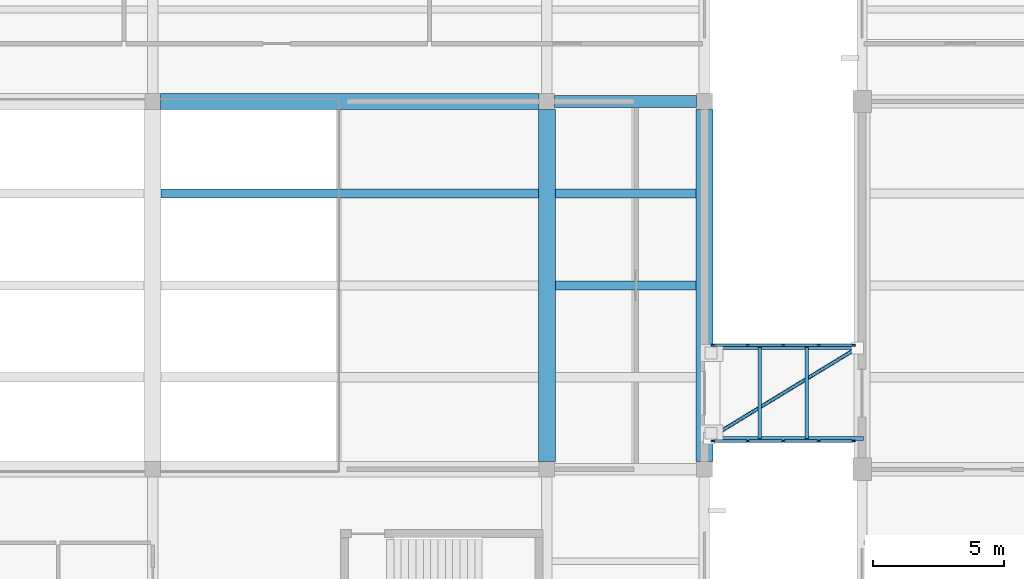
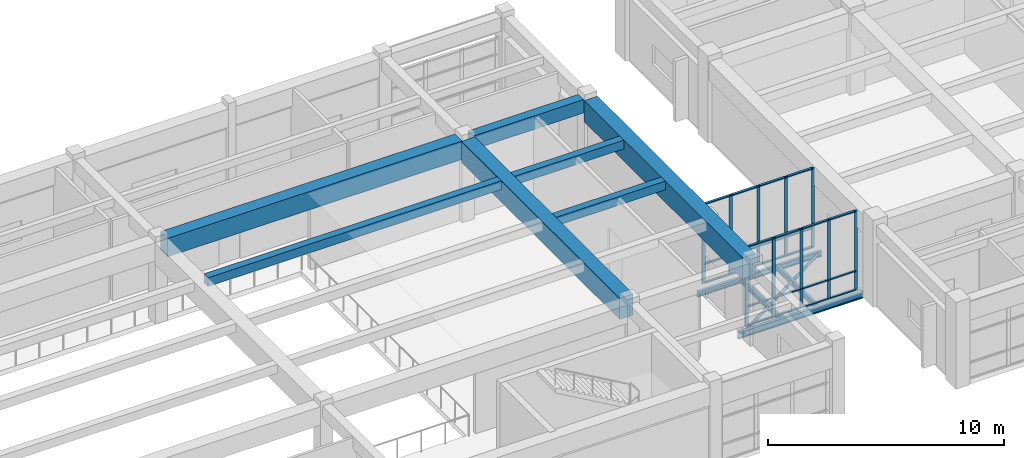
# One storey, part 16 of 72: 35 members, 11 beams, 2 elements without a shape of their own.
"""IFC4 building model written with IfcOpenShell, lengths in metres."""

from ifc_helpers import new_model, si_unit, direction, frame, origin, origin_2d, place, context, subcontext, project, spatial, rectangle, hollow_circle, i_section, extrude, material, layer, layer_set, material_profile, profile_set, type_object, element, aggregate, save


model = new_model("IFC4")

# Units and contexts
model_context = context("Model", 3, precision=1e-05, world=origin(), true_north=direction((0.0, 1.0)))
body_context = subcontext(model_context, "Body", "Model", "MODEL_VIEW")
ifc_project = project(units=[si_unit("LENGTHUNIT", "METRE"), si_unit("AREAUNIT", "SQUARE_METRE"), si_unit("VOLUMEUNIT", "CUBIC_METRE"), si_unit("PLANEANGLEUNIT", "RADIAN"), si_unit("MASSUNIT", "GRAM", prefix="KILO")], contexts=[model_context])

# Site, building, storey
site_placement = place(None, origin())
site = spatial("IfcSite", under=ifc_project, at=site_placement, CompositionType="ELEMENT")
building_placement = place(site_placement, origin())
building = spatial("IfcBuilding", under=site, at=building_placement, Name="Naurynzar Civic Courthouse", CompositionType="ELEMENT")
storey_placement = place(building_placement, frame((0.0, 0.0, 9.89990234375)))
storey = spatial("IfcBuildingStorey", under=building, at=storey_placement, Name="L03", CompositionType="ELEMENT", Elevation=9.89990234375)

# Beams
ifc_material_1 = material(Name="Concrete C40/50", Category="concrete")
ifc_material_profile_1 = material_profile(ifc_material_1, rectangle(XDim=0.60009765625, YDim=0.949951171875, at=origin_2d()), Name="PTB 600x950")
ifc_profile_set_1 = profile_set([ifc_material_profile_1], Name="Concrete C40/50")
beam_type_1 = type_object("IfcBeamType", Name="BM-PT-600x950", PredefinedType="T_BEAM", material=ifc_profile_set_1)
beam_1_placement = place(storey_placement, frame((35.300048828125, 65.0, 3.755126953125), z_axis=(1.0, 0.0, 0.0), x_axis=(0.0, 1.0, 0.0)))
element("IfcBeam", 1, at=beam_1_placement, inside=storey, type_object=beam_type_1, Name="V1 beam X-178 L03", PredefinedType="T_BEAM", context=body_context, shape_type="SweptSolid", body=[
    extrude(rectangle(XDim=0.60009765625, YDim=0.949951171875, at=origin_2d()), origin(), (0.0, 0.0, 1.0), 14.39990234375),
])
ifc_material_2 = material(Name="Concrete C40/50", Category="concrete")
ifc_material_profile_2 = material_profile(ifc_material_2, rectangle(XDim=0.64990234375, YDim=1.10009765625, at=origin_2d()), Name="PTB 650x1100")
ifc_profile_set_2 = profile_set([ifc_material_profile_2], Name="Concrete C40/50")
beam_type_2 = type_object("IfcBeamType", Name="BM-PT-650x1100", PredefinedType="T_BEAM", material=ifc_profile_set_2)
for number, where, z_axis, x_axis, name in (
    (2, (50.0, 51.300048828125, 3.68017578125), (0.0, 1.0, 0.0), (-1.0, 0.0, 0.0), "V1 girder Y-198 L03"),
    (3, (56.0, 51.300048828125, 3.68017578125), (0.0, 1.0, 0.0), (-1.0, 0.0, 0.0), "V1 girder Y-201 L03"),
):
    element("IfcBeam", number, at=place(storey_placement, frame(where, z_axis=z_axis, x_axis=x_axis)), inside=storey, type_object=beam_type_2, Name=name, PredefinedType="T_BEAM", context=body_context, shape_type="SweptSolid", body=[
        extrude(rectangle(XDim=0.64990234375, YDim=1.10009765625, at=origin_2d()), origin(), (0.0, 0.0, 1.0), 13.39990234375),
    ])
ifc_material_3 = material(Name="Concrete C40/50", Category="concrete")
ifc_material_profile_3 = material_profile(ifc_material_3, rectangle(XDim=0.35009765625, YDim=0.449951171875, at=origin_2d()), Name="RCB 350x450")
ifc_profile_set_3 = profile_set([ifc_material_profile_3], Name="Concrete C40/50")
beam_type_3 = type_object("IfcBeamType", Name="BM-RC-350x450", PredefinedType="BEAM", material=ifc_profile_set_3)
beam_2_placement = place(storey_placement, frame((35.324951171875, 61.5, 4.005126953125), z_axis=(1.0, 0.0, 0.0), x_axis=(0.0, 1.0, 0.0)))
element("IfcBeam", 4, at=beam_2_placement, inside=storey, type_object=beam_type_3, Name="V1 secondary rib 215 L03", PredefinedType="BEAM", context=body_context, shape_type="SweptSolid", body=[
    extrude(rectangle(XDim=0.35009765625, YDim=0.449951171875, at=origin_2d()), origin(), (0.0, 0.0, 1.0), 14.35009765625),
])
for number, where, z_axis, x_axis, name in (
    (5, (50.324951171875, 58.0, 4.005126953125), (1.0, 0.0, 0.0), (0.0, 1.0, 0.0), "V1 secondary rib 217 L03"),
    (6, (50.324951171875, 61.5, 4.005126953125), (1.0, 0.0, 0.0), (0.0, 1.0, 0.0), "V1 secondary rib 218 L03"),
):
    element("IfcBeam", number, at=place(storey_placement, frame(where, z_axis=z_axis, x_axis=x_axis)), inside=storey, type_object=beam_type_3, Name=name, PredefinedType="BEAM", context=body_context, shape_type="SweptSolid", body=[
        extrude(rectangle(XDim=0.35009765625, YDim=0.449951171875, at=origin_2d()), origin(), (0.0, 0.0, 1.0), 5.35009765625),
    ])
ifc_material_4 = material(Name="Concrete C40/50", Category="concrete")
ifc_material_profile_4 = material_profile(ifc_material_4, rectangle(XDim=0.449951171875, YDim=0.699951171875, at=origin_2d()), Name="RCB 450x700")
ifc_profile_set_4 = profile_set([ifc_material_profile_4], Name="Concrete C40/50")
beam_type_4 = type_object("IfcBeamType", Name="BM-RC-450x700", PredefinedType="BEAM", material=ifc_profile_set_4)
beam_3_placement = place(storey_placement, frame((50.300048828125, 65.0, 3.880126953125), z_axis=(1.0, 0.0, 0.0), x_axis=(0.0, 1.0, 0.0)))
element("IfcBeam", 7, at=beam_3_placement, inside=storey, type_object=beam_type_4, Name="V1 beam X-179 L03", PredefinedType="BEAM", context=body_context, shape_type="SweptSolid", body=[
    extrude(rectangle(XDim=0.449951171875, YDim=0.699951171875, at=origin_2d()), origin(), (0.0, 0.0, 1.0), 5.39990234375),
])
ifc_material_5 = material(Name="Steel S355", Category="steel")
ifc_material_profile_5 = material_profile(ifc_material_5, i_section(OverallWidth=0.135009765625, OverallDepth=0.27001953125, WebThickness=0.006591796875, FlangeThickness=0.01025390625, FilletRadius=0.014892578125, at=origin_2d()), Name="IPE 270")
ifc_profile_set_5 = profile_set([ifc_material_profile_5], Name="Steel S355")
beam_type_5 = type_object("IfcBeamType", Name="BM-STL-IPE270", PredefinedType="BEAM", material=ifc_profile_set_5)
beam_4_placement = place(storey_placement, frame((55.949951171875, 55.6298828125, -0.375), z_axis=(1.0, 0.0, 0.0), x_axis=(0.0, 1.0, 0.0)))
element("IfcBeam", 8, at=beam_4_placement, inside=storey, type_object=beam_type_5, Name="BR-N1 edge steel beam L03.2", PredefinedType="BEAM", context=body_context, shape_type="SweptSolid", body=[
    extrude(i_section(OverallWidth=0.135009765625, OverallDepth=0.27001953125, WebThickness=0.006591796875, FlangeThickness=0.01025390625, FilletRadius=0.014892578125, at=origin_2d()), origin(), (0.0, 0.0, 1.0), 6.10009765625),
])
for number, where, z_axis, x_axis, name in (
    (9, (58.10595703125, 52.169921875, -0.375), (0.0, 1.0, 0.0), (-1.0, 0.0, 0.0), "BR-N1 deck cross-beam L03.1"),
    (10, (59.89404296875, 52.169921875, -0.375), (0.0, 1.0, 0.0), (-1.0, 0.0, 0.0), "BR-N1 deck cross-beam L03.2"),
):
    element("IfcBeam", number, at=place(storey_placement, frame(where, z_axis=z_axis, x_axis=x_axis)), inside=storey, type_object=beam_type_5, Name=name, PredefinedType="BEAM", context=body_context, shape_type="SweptSolid", body=[
        extrude(i_section(OverallWidth=0.135009765625, OverallDepth=0.27001953125, WebThickness=0.006591796875, FlangeThickness=0.01025390625, FilletRadius=0.014892578125, at=origin_2d()), origin(), (0.0, 0.0, 1.0), 3.4599609375),
    ])
ifc_material_6 = material(Name="Steel S355", Category="steel")
ifc_material_profile_6 = material_profile(ifc_material_6, i_section(OverallWidth=0.159912109375, OverallDepth=0.330078125, WebThickness=0.007568359375, FlangeThickness=0.011474609375, FilletRadius=0.01806640625, at=origin_2d()), Name="IPE 330")
ifc_profile_set_6 = profile_set([ifc_material_profile_6], Name="Steel S355")
beam_type_6 = type_object("IfcBeamType", Name="BM-STL-IPE330", PredefinedType="BEAM", material=ifc_profile_set_6)
beam_5_placement = place(storey_placement, frame((55.949951171875, 52.169921875, -0.40478515625), z_axis=(1.0, 0.0, 0.0), x_axis=(0.0, 1.0, 0.0)))
element("IfcBeam", 11, at=beam_5_placement, inside=storey, type_object=beam_type_6, Name="BR-N1 edge steel beam L03.1", PredefinedType="BEAM", context=body_context, shape_type="SweptSolid", body=[
    extrude(i_section(OverallWidth=0.159912109375, OverallDepth=0.330078125, WebThickness=0.007568359375, FlangeThickness=0.011474609375, FilletRadius=0.01806640625, at=origin_2d()), origin(), (0.0, 0.0, 1.0), 6.10009765625),
])

# Curtain wall, members
ifc_material_7 = material(Name="Aluminium 6063-T6", Category="aluminium")
ifc_layer = layer(ifc_material_7, 0.14990234375)
ifc_layer_set = layer_set([ifc_layer], Name="CW-BRIDGE-1500")
curtain_wall_type = type_object("IfcCurtainWallType", Name="CW-BRIDGE-1500", PredefinedType="USERDEFINED", material=ifc_layer_set)
curtain_wall_1_placement = place(storey_placement, origin())
curtain_wall_1 = element("IfcCurtainWall", 12, at=curtain_wall_1_placement, inside=storey, type_object=curtain_wall_type, Name="BR-N1 glazed bridge screen L03.1", ObjectType="GLAZED BRIDGE SCREEN", PredefinedType="USERDEFINED")
ifc_material_8 = material(Name="Aluminium 6063-T6", Category="aluminium")
ifc_material_profile_7 = material_profile(ifc_material_8, rectangle(XDim=0.06005859375, YDim=0.14990234375, at=origin_2d()), Name="ALU MULLION 60x150")
ifc_profile_set_7 = profile_set([ifc_material_profile_7], Name="Aluminium 6063-T6")
member_type_1 = type_object("IfcMemberType", Name="CWM-60x150", PredefinedType="MULLION", material=ifc_profile_set_7)
member_1_placement = place(storey_placement, frame((56.330078125, 52.080078125, 0.0), z_axis=(0.0, 0.0, 1.0), x_axis=(0.0, 1.0, 0.0)))
member_1 = element("IfcMember", 13, at=member_1_placement, type_object=member_type_1, Name="CW-03 mullion 1", PredefinedType="MULLION", context=body_context, shape_type="SweptSolid", body=[
    extrude(rectangle(XDim=0.06005859375, YDim=0.14990234375, at=origin_2d()), origin(), (0.0, 0.0, 1.0), 4.1201171875),
])
member_2_placement = place(storey_placement, frame((57.64990234375, 52.080078125, 0.0), z_axis=(0.0, 0.0, 1.0), x_axis=(0.0, 1.0, 0.0)))
member_2 = element("IfcMember", 14, at=member_2_placement, type_object=member_type_1, Name="CW-03 mullion 2", PredefinedType="MULLION", context=body_context, shape_type="SweptSolid", body=[
    extrude(rectangle(XDim=0.06005859375, YDim=0.14990234375, at=origin_2d()), origin(), (0.0, 0.0, 1.0), 4.1201171875),
])
member_3_placement = place(storey_placement, frame((59.0, 52.080078125, 0.0), z_axis=(0.0, 0.0, 1.0), x_axis=(0.0, 1.0, 0.0)))
member_3 = element("IfcMember", 15, at=member_3_placement, type_object=member_type_1, Name="CW-03 mullion 3", PredefinedType="MULLION", context=body_context, shape_type="SweptSolid", body=[
    extrude(rectangle(XDim=0.06005859375, YDim=0.14990234375, at=origin_2d()), origin(), (0.0, 0.0, 1.0), 4.1201171875),
])
member_4_placement = place(storey_placement, frame((60.35009765625, 52.080078125, 0.0), z_axis=(0.0, 0.0, 1.0), x_axis=(0.0, 1.0, 0.0)))
member_4 = element("IfcMember", 16, at=member_4_placement, type_object=member_type_1, Name="CW-03 mullion 4", PredefinedType="MULLION", context=body_context, shape_type="SweptSolid", body=[
    extrude(rectangle(XDim=0.06005859375, YDim=0.14990234375, at=origin_2d()), origin(), (0.0, 0.0, 1.0), 4.1201171875),
])
member_5_placement = place(storey_placement, frame((61.669921875, 52.080078125, 0.0), z_axis=(0.0, 0.0, 1.0), x_axis=(0.0, 1.0, 0.0)))
member_5 = element("IfcMember", 17, at=member_5_placement, type_object=member_type_1, Name="CW-03 mullion 5", PredefinedType="MULLION", context=body_context, shape_type="SweptSolid", body=[
    extrude(rectangle(XDim=0.06005859375, YDim=0.14990234375, at=origin_2d()), origin(), (0.0, 0.0, 1.0), 4.1201171875),
])

curtain_wall_2_placement = place(storey_placement, origin())
curtain_wall_2 = element("IfcCurtainWall", 18, at=curtain_wall_2_placement, inside=storey, type_object=curtain_wall_type, Name="BR-N1 glazed bridge screen L03.2", ObjectType="GLAZED BRIDGE SCREEN", PredefinedType="USERDEFINED")
member_6_placement = place(storey_placement, frame((61.669921875, 55.719970703125, 0.0), z_axis=(0.0, 0.0, 1.0), x_axis=(0.0, -1.0, 0.0)))
member_6 = element("IfcMember", 19, at=member_6_placement, type_object=member_type_1, Name="CW-03 mullion 1", PredefinedType="MULLION", context=body_context, shape_type="SweptSolid", body=[
    extrude(rectangle(XDim=0.06005859375, YDim=0.14990234375, at=origin_2d()), origin(), (0.0, 0.0, 1.0), 4.1201171875),
])
member_7_placement = place(storey_placement, frame((60.35009765625, 55.719970703125, 0.0), z_axis=(0.0, 0.0, 1.0), x_axis=(0.0, -1.0, 0.0)))
member_7 = element("IfcMember", 20, at=member_7_placement, type_object=member_type_1, Name="CW-03 mullion 2", PredefinedType="MULLION", context=body_context, shape_type="SweptSolid", body=[
    extrude(rectangle(XDim=0.06005859375, YDim=0.14990234375, at=origin_2d()), origin(), (0.0, 0.0, 1.0), 4.1201171875),
])
member_8_placement = place(storey_placement, frame((59.0, 55.719970703125, 0.0), z_axis=(0.0, 0.0, 1.0), x_axis=(0.0, -1.0, 0.0)))
member_8 = element("IfcMember", 21, at=member_8_placement, type_object=member_type_1, Name="CW-03 mullion 3", PredefinedType="MULLION", context=body_context, shape_type="SweptSolid", body=[
    extrude(rectangle(XDim=0.06005859375, YDim=0.14990234375, at=origin_2d()), origin(), (0.0, 0.0, 1.0), 4.1201171875),
])
member_9_placement = place(storey_placement, frame((57.64990234375, 55.719970703125, 0.0), z_axis=(0.0, 0.0, 1.0), x_axis=(0.0, -1.0, 0.0)))
member_9 = element("IfcMember", 22, at=member_9_placement, type_object=member_type_1, Name="CW-03 mullion 4", PredefinedType="MULLION", context=body_context, shape_type="SweptSolid", body=[
    extrude(rectangle(XDim=0.06005859375, YDim=0.14990234375, at=origin_2d()), origin(), (0.0, 0.0, 1.0), 4.1201171875),
])
member_10_placement = place(storey_placement, frame((56.330078125, 55.719970703125, 0.0), z_axis=(0.0, 0.0, 1.0), x_axis=(0.0, -1.0, 0.0)))
member_10 = element("IfcMember", 23, at=member_10_placement, type_object=member_type_1, Name="CW-03 mullion 5", PredefinedType="MULLION", context=body_context, shape_type="SweptSolid", body=[
    extrude(rectangle(XDim=0.06005859375, YDim=0.14990234375, at=origin_2d()), origin(), (0.0, 0.0, 1.0), 4.1201171875),
])

# Member
ifc_material_9 = material(Name="Aluminium 6063-T6", Category="aluminium")
ifc_material_profile_8 = material_profile(ifc_material_9, rectangle(XDim=0.110107421875, YDim=0.06005859375, at=origin_2d()), Name="ALU TRANSOM 60x110")
ifc_profile_set_8 = profile_set([ifc_material_profile_8], Name="Aluminium 6063-T6")
member_type_2 = type_object("IfcMemberType", Name="CWT-60x110", PredefinedType="USERDEFINED", material=ifc_profile_set_8)
member_11_placement = place(storey_placement, frame((56.360107421875, 52.080078125, 0.030029296875), z_axis=(1.0, 0.0, 0.0), x_axis=(0.0, 1.0, 0.0)))
member_11 = element("IfcMember", 24, at=member_11_placement, type_object=member_type_2, Name="CW-03 transom 1.1", ObjectType="TRANSOM", PredefinedType="USERDEFINED", context=body_context, shape_type="SweptSolid", body=[
    extrude(rectangle(XDim=0.110107421875, YDim=0.06005859375, at=origin_2d()), origin(), (0.0, 0.0, 1.0), 1.260009765625),
])

member_12_placement = place(storey_placement, frame((56.360107421875, 52.080078125, 1.0), z_axis=(1.0, 0.0, 0.0), x_axis=(0.0, 1.0, 0.0)))
member_12 = element("IfcMember", 25, at=member_12_placement, type_object=member_type_2, Name="CW-03 transom 1.2", ObjectType="TRANSOM", PredefinedType="USERDEFINED", context=body_context, shape_type="SweptSolid", body=[
    extrude(rectangle(XDim=0.110107421875, YDim=0.06005859375, at=origin_2d()), origin(), (0.0, 0.0, 1.0), 1.260009765625),
])

member_13_placement = place(storey_placement, frame((56.360107421875, 52.080078125, 4.090087890625), z_axis=(1.0, 0.0, 0.0), x_axis=(0.0, 1.0, 0.0)))
member_13 = element("IfcMember", 26, at=member_13_placement, type_object=member_type_2, Name="CW-03 transom 1.3", ObjectType="TRANSOM", PredefinedType="USERDEFINED", context=body_context, shape_type="SweptSolid", body=[
    extrude(rectangle(XDim=0.110107421875, YDim=0.06005859375, at=origin_2d()), origin(), (0.0, 0.0, 1.0), 1.260009765625),
])

member_14_placement = place(storey_placement, frame((57.679931640625, 52.080078125, 0.030029296875), z_axis=(1.0, 0.0, 0.0), x_axis=(0.0, 1.0, 0.0)))
member_14 = element("IfcMember", 27, at=member_14_placement, type_object=member_type_2, Name="CW-03 transom 2.1", ObjectType="TRANSOM", PredefinedType="USERDEFINED", context=body_context, shape_type="SweptSolid", body=[
    extrude(rectangle(XDim=0.110107421875, YDim=0.06005859375, at=origin_2d()), origin(), (0.0, 0.0, 1.0), 1.2900390625),
])

member_15_placement = place(storey_placement, frame((57.679931640625, 52.080078125, 1.0), z_axis=(1.0, 0.0, 0.0), x_axis=(0.0, 1.0, 0.0)))
member_15 = element("IfcMember", 28, at=member_15_placement, type_object=member_type_2, Name="CW-03 transom 2.2", ObjectType="TRANSOM", PredefinedType="USERDEFINED", context=body_context, shape_type="SweptSolid", body=[
    extrude(rectangle(XDim=0.110107421875, YDim=0.06005859375, at=origin_2d()), origin(), (0.0, 0.0, 1.0), 1.2900390625),
])

member_16_placement = place(storey_placement, frame((57.679931640625, 52.080078125, 4.090087890625), z_axis=(1.0, 0.0, 0.0), x_axis=(0.0, 1.0, 0.0)))
member_16 = element("IfcMember", 29, at=member_16_placement, type_object=member_type_2, Name="CW-03 transom 2.3", ObjectType="TRANSOM", PredefinedType="USERDEFINED", context=body_context, shape_type="SweptSolid", body=[
    extrude(rectangle(XDim=0.110107421875, YDim=0.06005859375, at=origin_2d()), origin(), (0.0, 0.0, 1.0), 1.2900390625),
])

member_17_placement = place(storey_placement, frame((59.030029296875, 52.080078125, 0.030029296875), z_axis=(1.0, 0.0, 0.0), x_axis=(0.0, 1.0, 0.0)))
member_17 = element("IfcMember", 30, at=member_17_placement, type_object=member_type_2, Name="CW-03 transom 3.1", ObjectType="TRANSOM", PredefinedType="USERDEFINED", context=body_context, shape_type="SweptSolid", body=[
    extrude(rectangle(XDim=0.110107421875, YDim=0.06005859375, at=origin_2d()), origin(), (0.0, 0.0, 1.0), 1.2900390625),
])

member_18_placement = place(storey_placement, frame((59.030029296875, 52.080078125, 1.0), z_axis=(1.0, 0.0, 0.0), x_axis=(0.0, 1.0, 0.0)))
member_18 = element("IfcMember", 31, at=member_18_placement, type_object=member_type_2, Name="CW-03 transom 3.2", ObjectType="TRANSOM", PredefinedType="USERDEFINED", context=body_context, shape_type="SweptSolid", body=[
    extrude(rectangle(XDim=0.110107421875, YDim=0.06005859375, at=origin_2d()), origin(), (0.0, 0.0, 1.0), 1.2900390625),
])

member_19_placement = place(storey_placement, frame((59.030029296875, 52.080078125, 4.090087890625), z_axis=(1.0, 0.0, 0.0), x_axis=(0.0, 1.0, 0.0)))
member_19 = element("IfcMember", 32, at=member_19_placement, type_object=member_type_2, Name="CW-03 transom 3.3", ObjectType="TRANSOM", PredefinedType="USERDEFINED", context=body_context, shape_type="SweptSolid", body=[
    extrude(rectangle(XDim=0.110107421875, YDim=0.06005859375, at=origin_2d()), origin(), (0.0, 0.0, 1.0), 1.2900390625),
])

member_20_placement = place(storey_placement, frame((60.3798828125, 52.080078125, 0.030029296875), z_axis=(1.0, 0.0, 0.0), x_axis=(0.0, 1.0, 0.0)))
member_20 = element("IfcMember", 33, at=member_20_placement, type_object=member_type_2, Name="CW-03 transom 4.1", ObjectType="TRANSOM", PredefinedType="USERDEFINED", context=body_context, shape_type="SweptSolid", body=[
    extrude(rectangle(XDim=0.110107421875, YDim=0.06005859375, at=origin_2d()), origin(), (0.0, 0.0, 1.0), 1.260009765625),
])

member_21_placement = place(storey_placement, frame((60.3798828125, 52.080078125, 1.0), z_axis=(1.0, 0.0, 0.0), x_axis=(0.0, 1.0, 0.0)))
member_21 = element("IfcMember", 34, at=member_21_placement, type_object=member_type_2, Name="CW-03 transom 4.2", ObjectType="TRANSOM", PredefinedType="USERDEFINED", context=body_context, shape_type="SweptSolid", body=[
    extrude(rectangle(XDim=0.110107421875, YDim=0.06005859375, at=origin_2d()), origin(), (0.0, 0.0, 1.0), 1.260009765625),
])

member_22_placement = place(storey_placement, frame((60.3798828125, 52.080078125, 4.090087890625), z_axis=(1.0, 0.0, 0.0), x_axis=(0.0, 1.0, 0.0)))
member_22 = element("IfcMember", 35, at=member_22_placement, type_object=member_type_2, Name="CW-03 transom 4.3", ObjectType="TRANSOM", PredefinedType="USERDEFINED", context=body_context, shape_type="SweptSolid", body=[
    extrude(rectangle(XDim=0.110107421875, YDim=0.06005859375, at=origin_2d()), origin(), (0.0, 0.0, 1.0), 1.260009765625),
])

aggregate(curtain_wall_1, [member_1, member_2, member_3, member_4, member_5, member_11, member_12, member_13, member_14, member_15, member_16, member_17, member_18, member_19, member_20, member_21, member_22])

member_23_placement = place(storey_placement, frame((61.639892578125, 55.719970703125, 0.030029296875), z_axis=(-1.0, 0.0, 0.0), x_axis=(0.0, -1.0, 0.0)))
member_23 = element("IfcMember", 36, at=member_23_placement, type_object=member_type_2, Name="CW-03 transom 1.1", ObjectType="TRANSOM", PredefinedType="USERDEFINED", context=body_context, shape_type="SweptSolid", body=[
    extrude(rectangle(XDim=0.110107421875, YDim=0.06005859375, at=origin_2d()), origin(), (0.0, 0.0, 1.0), 1.260009765625),
])

member_24_placement = place(storey_placement, frame((61.639892578125, 55.719970703125, 1.0), z_axis=(-1.0, 0.0, 0.0), x_axis=(0.0, -1.0, 0.0)))
member_24 = element("IfcMember", 37, at=member_24_placement, type_object=member_type_2, Name="CW-03 transom 1.2", ObjectType="TRANSOM", PredefinedType="USERDEFINED", context=body_context, shape_type="SweptSolid", body=[
    extrude(rectangle(XDim=0.110107421875, YDim=0.06005859375, at=origin_2d()), origin(), (0.0, 0.0, 1.0), 1.260009765625),
])

member_25_placement = place(storey_placement, frame((61.639892578125, 55.719970703125, 4.090087890625), z_axis=(-1.0, 0.0, 0.0), x_axis=(0.0, -1.0, 0.0)))
member_25 = element("IfcMember", 38, at=member_25_placement, type_object=member_type_2, Name="CW-03 transom 1.3", ObjectType="TRANSOM", PredefinedType="USERDEFINED", context=body_context, shape_type="SweptSolid", body=[
    extrude(rectangle(XDim=0.110107421875, YDim=0.06005859375, at=origin_2d()), origin(), (0.0, 0.0, 1.0), 1.260009765625),
])

member_26_placement = place(storey_placement, frame((60.320068359375, 55.719970703125, 0.030029296875), z_axis=(-1.0, 0.0, 0.0), x_axis=(0.0, -1.0, 0.0)))
member_26 = element("IfcMember", 39, at=member_26_placement, type_object=member_type_2, Name="CW-03 transom 2.1", ObjectType="TRANSOM", PredefinedType="USERDEFINED", context=body_context, shape_type="SweptSolid", body=[
    extrude(rectangle(XDim=0.110107421875, YDim=0.06005859375, at=origin_2d()), origin(), (0.0, 0.0, 1.0), 1.2900390625),
])

member_27_placement = place(storey_placement, frame((60.320068359375, 55.719970703125, 1.0), z_axis=(-1.0, 0.0, 0.0), x_axis=(0.0, -1.0, 0.0)))
member_27 = element("IfcMember", 40, at=member_27_placement, type_object=member_type_2, Name="CW-03 transom 2.2", ObjectType="TRANSOM", PredefinedType="USERDEFINED", context=body_context, shape_type="SweptSolid", body=[
    extrude(rectangle(XDim=0.110107421875, YDim=0.06005859375, at=origin_2d()), origin(), (0.0, 0.0, 1.0), 1.2900390625),
])

member_28_placement = place(storey_placement, frame((60.320068359375, 55.719970703125, 4.090087890625), z_axis=(-1.0, 0.0, 0.0), x_axis=(0.0, -1.0, 0.0)))
member_28 = element("IfcMember", 41, at=member_28_placement, type_object=member_type_2, Name="CW-03 transom 2.3", ObjectType="TRANSOM", PredefinedType="USERDEFINED", context=body_context, shape_type="SweptSolid", body=[
    extrude(rectangle(XDim=0.110107421875, YDim=0.06005859375, at=origin_2d()), origin(), (0.0, 0.0, 1.0), 1.2900390625),
])

member_29_placement = place(storey_placement, frame((58.969970703125, 55.719970703125, 0.030029296875), z_axis=(-1.0, 0.0, 0.0), x_axis=(0.0, -1.0, 0.0)))
member_29 = element("IfcMember", 42, at=member_29_placement, type_object=member_type_2, Name="CW-03 transom 3.1", ObjectType="TRANSOM", PredefinedType="USERDEFINED", context=body_context, shape_type="SweptSolid", body=[
    extrude(rectangle(XDim=0.110107421875, YDim=0.06005859375, at=origin_2d()), origin(), (0.0, 0.0, 1.0), 1.2900390625),
])

member_30_placement = place(storey_placement, frame((58.969970703125, 55.719970703125, 1.0), z_axis=(-1.0, 0.0, 0.0), x_axis=(0.0, -1.0, 0.0)))
member_30 = element("IfcMember", 43, at=member_30_placement, type_object=member_type_2, Name="CW-03 transom 3.2", ObjectType="TRANSOM", PredefinedType="USERDEFINED", context=body_context, shape_type="SweptSolid", body=[
    extrude(rectangle(XDim=0.110107421875, YDim=0.06005859375, at=origin_2d()), origin(), (0.0, 0.0, 1.0), 1.2900390625),
])

member_31_placement = place(storey_placement, frame((58.969970703125, 55.719970703125, 4.090087890625), z_axis=(-1.0, 0.0, 0.0), x_axis=(0.0, -1.0, 0.0)))
member_31 = element("IfcMember", 44, at=member_31_placement, type_object=member_type_2, Name="CW-03 transom 3.3", ObjectType="TRANSOM", PredefinedType="USERDEFINED", context=body_context, shape_type="SweptSolid", body=[
    extrude(rectangle(XDim=0.110107421875, YDim=0.06005859375, at=origin_2d()), origin(), (0.0, 0.0, 1.0), 1.2900390625),
])

member_32_placement = place(storey_placement, frame((57.6201171875, 55.719970703125, 0.030029296875), z_axis=(-1.0, 0.0, 0.0), x_axis=(0.0, -1.0, 0.0)))
member_32 = element("IfcMember", 45, at=member_32_placement, type_object=member_type_2, Name="CW-03 transom 4.1", ObjectType="TRANSOM", PredefinedType="USERDEFINED", context=body_context, shape_type="SweptSolid", body=[
    extrude(rectangle(XDim=0.110107421875, YDim=0.06005859375, at=origin_2d()), origin(), (0.0, 0.0, 1.0), 1.260009765625),
])

member_33_placement = place(storey_placement, frame((57.6201171875, 55.719970703125, 1.0), z_axis=(-1.0, 0.0, 0.0), x_axis=(0.0, -1.0, 0.0)))
member_33 = element("IfcMember", 46, at=member_33_placement, type_object=member_type_2, Name="CW-03 transom 4.2", ObjectType="TRANSOM", PredefinedType="USERDEFINED", context=body_context, shape_type="SweptSolid", body=[
    extrude(rectangle(XDim=0.110107421875, YDim=0.06005859375, at=origin_2d()), origin(), (0.0, 0.0, 1.0), 1.260009765625),
])

member_34_placement = place(storey_placement, frame((57.6201171875, 55.719970703125, 4.090087890625), z_axis=(-1.0, 0.0, 0.0), x_axis=(0.0, -1.0, 0.0)))
member_34 = element("IfcMember", 47, at=member_34_placement, type_object=member_type_2, Name="CW-03 transom 4.3", ObjectType="TRANSOM", PredefinedType="USERDEFINED", context=body_context, shape_type="SweptSolid", body=[
    extrude(rectangle(XDim=0.110107421875, YDim=0.06005859375, at=origin_2d()), origin(), (0.0, 0.0, 1.0), 1.260009765625),
])

aggregate(curtain_wall_2, [member_6, member_7, member_8, member_9, member_10, member_23, member_24, member_25, member_26, member_27, member_28, member_29, member_30, member_31, member_32, member_33, member_34])

ifc_material_10 = material(Name="Steel S355", Category="steel")
ifc_material_profile_9 = material_profile(ifc_material_10, hollow_circle(Radius=0.06982421875, WallThickness=0.008056640625, at=origin_2d()), Name="CHS 139.7x8")
ifc_profile_set_9 = profile_set([ifc_material_profile_9], Name="Steel S355")
member_type_3 = type_object("IfcMemberType", Name="MEM-BRACE-CHS139", PredefinedType="BRACE", material=ifc_profile_set_9)
member_35_placement = place(storey_placement, frame((56.179931640625, 52.179931640625, -0.40478515625), z_axis=(0.853723652651, 0.520726343585, 0.0), x_axis=(-0.520726343585, 0.853723652651, 0.0)))
element("IfcMember", 48, at=member_35_placement, inside=storey, type_object=member_type_3, Name="BR-N1 wind brace L03.1", PredefinedType="BRACE", context=body_context, shape_type="SweptSolid", body=[
    extrude(hollow_circle(Radius=0.06982421875, WallThickness=0.008056640625, at=origin_2d()), origin(), (0.0, 0.0, 1.0), 6.6064453125),
])

save(model, "model.ifc")
